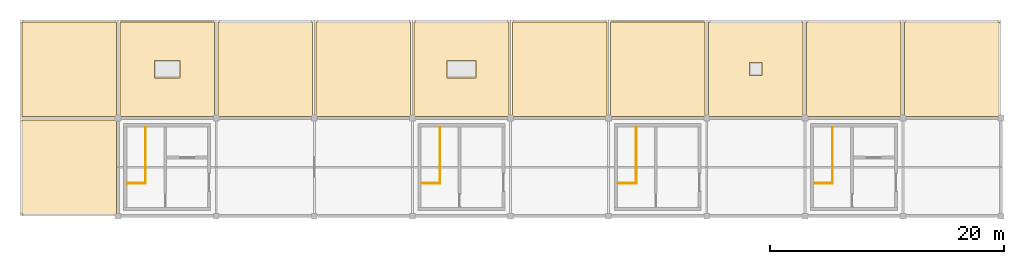
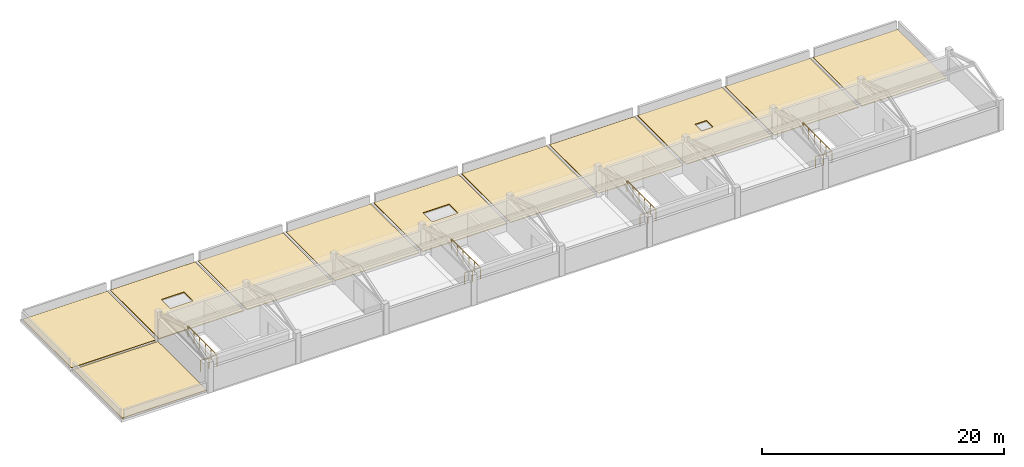
# One storey, part 4 of 4: 11 coverings, 4 railings.
"""IFC4 building model written with IfcOpenShell, lengths in metres."""

from ifc_helpers import new_model, si_unit, direction, frame, origin, origin_2d, place, context, subcontext, project, spatial, polyline, circle, outline, extrude, material, layer, layer_set, type_object, element, save


model = new_model("IFC4")

# Units and contexts
model_context = context("Model", 3, precision=1e-05, world=origin(), true_north=direction((0.0, 1.0)))
body_context = subcontext(model_context, "Body", "Model", "MODEL_VIEW")
ifc_project = project(units=[si_unit("LENGTHUNIT", "METRE"), si_unit("AREAUNIT", "SQUARE_METRE"), si_unit("VOLUMEUNIT", "CUBIC_METRE"), si_unit("PLANEANGLEUNIT", "RADIAN"), si_unit("MASSUNIT", "GRAM", prefix="KILO")], contexts=[model_context])

# Site, building, storey
site_placement = place(None, origin())
site = spatial("IfcSite", under=ifc_project, at=site_placement, CompositionType="ELEMENT")
building_placement = place(site_placement, origin())
building = spatial("IfcBuilding", under=site, at=building_placement, Name="Porcellanite Civic Hall", CompositionType="ELEMENT")
storey_placement = place(building_placement, frame((0.0, 0.0, 27.719970703125)))
storey = spatial("IfcBuildingStorey", under=building, at=storey_placement, Name="RF", CompositionType="ELEMENT", Elevation=27.719970703125)

# Coverings
ifc_material_1 = material(Name="Insulated light-reflective TPO monsoon roofing membrane")
ifc_layer_1 = layer(ifc_material_1, 0.080078125)
ifc_layer_set_1 = layer_set([ifc_layer_1], Name="Insulated light-reflective TPO monsoon roofing membrane")
covering_type_1 = type_object("IfcCoveringType", Name="COV-RF1", PredefinedType="ROOFING", material=ifc_layer_set_1)
covering_1_placement = place(storey_placement, origin())
element("IfcCovering", 1, at=covering_1_placement, inside=storey, type_object=covering_type_1, Name="Roof membrane RF 7-14", PredefinedType="ROOFING", context=body_context, shape_type="SweptSolid", body=[
    extrude(outline(polyline([(50.550048828125, 109.35009765625), (58.64990234375, 109.35009765625), (58.64990234375, 117.449951171875), (50.550048828125, 117.449951171875), (50.550048828125, 109.35009765625)]), holes=[polyline([(53.5, 112.64990234375), (55.699951171875, 112.64990234375), (55.699951171875, 114.14990234375), (53.5, 114.14990234375), (53.5, 112.64990234375)])]), origin(), (0.0, 0.0, 1.0), 0.080078125),
])
covering_2_placement = place(storey_placement, origin())
element("IfcCovering", 2, at=covering_2_placement, inside=storey, type_object=covering_type_1, Name="Roof membrane RF 10-14", PredefinedType="ROOFING", context=body_context, shape_type="SweptSolid", body=[
    extrude(outline(polyline([(75.75, 109.35009765625), (83.85009765625, 109.35009765625), (83.85009765625, 117.449951171875), (75.75, 117.449951171875), (75.75, 109.35009765625)]), holes=[polyline([(78.550048828125, 112.64990234375), (81.050048828125, 112.64990234375), (81.050048828125, 114.14990234375), (78.550048828125, 114.14990234375), (78.550048828125, 112.64990234375)])]), origin(), (0.0, 0.0, 1.0), 0.080078125),
])
covering_3_placement = place(storey_placement, origin())
element("IfcCovering", 3, at=covering_3_placement, inside=storey, type_object=covering_type_1, Name="Roof membrane RF 13-14", PredefinedType="ROOFING", context=body_context, shape_type="SweptSolid", body=[
    extrude(outline(polyline([(100.949951171875, 109.35009765625), (109.050048828125, 109.35009765625), (109.050048828125, 117.449951171875), (100.949951171875, 117.449951171875), (100.949951171875, 109.35009765625)]), holes=[polyline([(104.449951171875, 112.85009765625), (105.550048828125, 112.85009765625), (105.550048828125, 113.949951171875), (104.449951171875, 113.949951171875), (104.449951171875, 112.85009765625)])]), origin(), (0.0, 0.0, 1.0), 0.080078125),
])
ifc_material_2 = material(Name="Insulated light-reflective TPO monsoon roofing membrane")
ifc_layer_2 = layer(ifc_material_2, 0.070068359375)
ifc_layer_set_2 = layer_set([ifc_layer_2], Name="Insulated light-reflective TPO monsoon roofing membrane")
covering_type_2 = type_object("IfcCoveringType", Name="COV-RF2", PredefinedType="ROOFING", material=ifc_layer_set_2)
covering_4_placement = place(storey_placement, origin())
element("IfcCovering", 4, at=covering_4_placement, inside=storey, type_object=covering_type_2, Name="Roof membrane RF 6-13", PredefinedType="ROOFING", context=body_context, shape_type="SweptSolid", body=[
    extrude(outline(polyline([(42.14990234375, 100.949951171875), (50.25, 100.949951171875), (50.25, 109.050048828125), (42.14990234375, 109.050048828125), (42.14990234375, 100.949951171875)])), origin(), (0.0, 0.0, 1.0), 0.070068359375),
])
covering_5_placement = place(storey_placement, origin())
element("IfcCovering", 5, at=covering_5_placement, inside=storey, type_object=covering_type_2, Name="Roof membrane RF 8-14", PredefinedType="ROOFING", context=body_context, shape_type="SweptSolid", body=[
    extrude(outline(polyline([(58.949951171875, 109.35009765625), (67.050048828125, 109.35009765625), (67.050048828125, 117.449951171875), (58.949951171875, 117.449951171875), (58.949951171875, 109.35009765625)])), origin(), (0.0, 0.0, 1.0), 0.070068359375),
])
covering_6_placement = place(storey_placement, origin())
element("IfcCovering", 6, at=covering_6_placement, inside=storey, type_object=covering_type_2, Name="Roof membrane RF 11-14", PredefinedType="ROOFING", context=body_context, shape_type="SweptSolid", body=[
    extrude(outline(polyline([(84.14990234375, 109.35009765625), (92.25, 109.35009765625), (92.25, 117.449951171875), (84.14990234375, 117.449951171875), (84.14990234375, 109.35009765625)])), origin(), (0.0, 0.0, 1.0), 0.070068359375),
])
covering_7_placement = place(storey_placement, origin())
element("IfcCovering", 7, at=covering_7_placement, inside=storey, type_object=covering_type_2, Name="Roof membrane RF 14-14", PredefinedType="ROOFING", context=body_context, shape_type="SweptSolid", body=[
    extrude(outline(polyline([(109.35009765625, 109.35009765625), (117.449951171875, 109.35009765625), (117.449951171875, 117.449951171875), (109.35009765625, 117.449951171875), (109.35009765625, 109.35009765625)])), origin(), (0.0, 0.0, 1.0), 0.070068359375),
])
ifc_material_3 = material(Name="Insulated light-reflective TPO monsoon roofing membrane")
ifc_layer_3 = layer(ifc_material_3, 0.06005859375)
ifc_layer_set_3 = layer_set([ifc_layer_3], Name="Insulated light-reflective TPO monsoon roofing membrane")
covering_type_3 = type_object("IfcCoveringType", Name="COV-RF3", PredefinedType="ROOFING", material=ifc_layer_set_3)
covering_8_placement = place(storey_placement, origin())
element("IfcCovering", 8, at=covering_8_placement, inside=storey, type_object=covering_type_3, Name="Roof membrane RF 6-14", PredefinedType="ROOFING", context=body_context, shape_type="SweptSolid", body=[
    extrude(outline(polyline([(42.14990234375, 109.35009765625), (50.25, 109.35009765625), (50.25, 117.449951171875), (42.14990234375, 117.449951171875), (42.14990234375, 109.35009765625)])), origin(), (0.0, 0.0, 1.0), 0.06005859375),
])
covering_9_placement = place(storey_placement, origin())
element("IfcCovering", 9, at=covering_9_placement, inside=storey, type_object=covering_type_3, Name="Roof membrane RF 9-14", PredefinedType="ROOFING", context=body_context, shape_type="SweptSolid", body=[
    extrude(outline(polyline([(67.35009765625, 109.35009765625), (75.449951171875, 109.35009765625), (75.449951171875, 117.449951171875), (67.35009765625, 117.449951171875), (67.35009765625, 109.35009765625)])), origin(), (0.0, 0.0, 1.0), 0.06005859375),
])
covering_10_placement = place(storey_placement, origin())
element("IfcCovering", 10, at=covering_10_placement, inside=storey, type_object=covering_type_3, Name="Roof membrane RF 12-14", PredefinedType="ROOFING", context=body_context, shape_type="SweptSolid", body=[
    extrude(outline(polyline([(92.550048828125, 109.35009765625), (100.64990234375, 109.35009765625), (100.64990234375, 117.449951171875), (92.550048828125, 117.449951171875), (92.550048828125, 109.35009765625)])), origin(), (0.0, 0.0, 1.0), 0.06005859375),
])
covering_11_placement = place(storey_placement, origin())
element("IfcCovering", 11, at=covering_11_placement, inside=storey, type_object=covering_type_3, Name="Roof membrane RF 15-14", PredefinedType="ROOFING", context=body_context, shape_type="SweptSolid", body=[
    extrude(outline(polyline([(117.75, 109.35009765625), (125.85009765625, 109.35009765625), (125.85009765625, 117.449951171875), (117.75, 117.449951171875), (117.75, 109.35009765625)])), origin(), (0.0, 0.0, 1.0), 0.06005859375),
])

# Railings
ifc_material_4 = material(Name="Brushed stainless steel 316", Category="steel")
railing_type = type_object("IfcRailingType", Name="RL-GR114", PredefinedType="GUARDRAIL", material=ifc_material_4)
for number, where, name in (
    (12, (51.2099609375, 103.6201171875, 0.0), "Stairwell top guard ST-03 RF"),
    (13, (110.010009765625, 103.6201171875, 0.0), "Stairwell top guard ST-04 RF"),
    (14, (76.409912109375, 103.6201171875, 0.0), "Stairwell top guard ST-09 RF"),
    (15, (93.2099609375, 103.6201171875, 0.0), "Stairwell top guard ST-10 RF"),
):
    element("IfcRailing", number, at=place(storey_placement, frame(where)), inside=storey, type_object=railing_type, Name=name, PredefinedType="GUARDRAIL", context=body_context, shape_type="SweptSolid", body=[
        extrude(circle(Radius=0.02490234375, at=origin_2d()), frame((0.0, 0.0, 1.11474609375), z_axis=(1.0, 0.0, 0.0), x_axis=(0.0, 1.0, 0.0)), (0.0, 0.0, 1.0), 1.550048828125),
        extrude(circle(Radius=0.02490234375, at=origin_2d()), frame((1.550048828125, 0.0, 1.11474609375), z_axis=(0.0, 1.0, 0.0), x_axis=(-1.0, 0.0, 0.0)), (0.0, 0.0, 1.0), 4.789794921875),
        extrude(circle(Radius=0.02099609375, at=origin_2d()), origin(), (0.0, 0.0, 1.0), 1.08984375),
        extrude(circle(Radius=0.02099609375, at=origin_2d()), frame((0.77490234375, 0.0, 0.0)), (0.0, 0.0, 1.0), 1.08984375),
        extrude(circle(Radius=0.02099609375, at=origin_2d()), frame((1.550048828125, 0.0, 0.0)), (0.0, 0.0, 1.0), 1.08984375),
        extrude(circle(Radius=0.02099609375, at=origin_2d()), frame((1.550048828125, 0.9580078125, 0.0)), (0.0, 0.0, 1.0), 1.08984375),
        extrude(circle(Radius=0.02099609375, at=origin_2d()), frame((1.550048828125, 1.916015625, 0.0)), (0.0, 0.0, 1.0), 1.08984375),
        extrude(circle(Radius=0.02099609375, at=origin_2d()), frame((1.550048828125, 2.873779296875, 0.0)), (0.0, 0.0, 1.0), 1.08984375),
        extrude(circle(Radius=0.02099609375, at=origin_2d()), frame((1.550048828125, 3.831787109375, 0.0)), (0.0, 0.0, 1.0), 1.08984375),
        extrude(circle(Radius=0.02099609375, at=origin_2d()), frame((1.550048828125, 4.789794921875, 0.0)), (0.0, 0.0, 1.0), 1.08984375),
    ])

save(model, "model.ifc")
